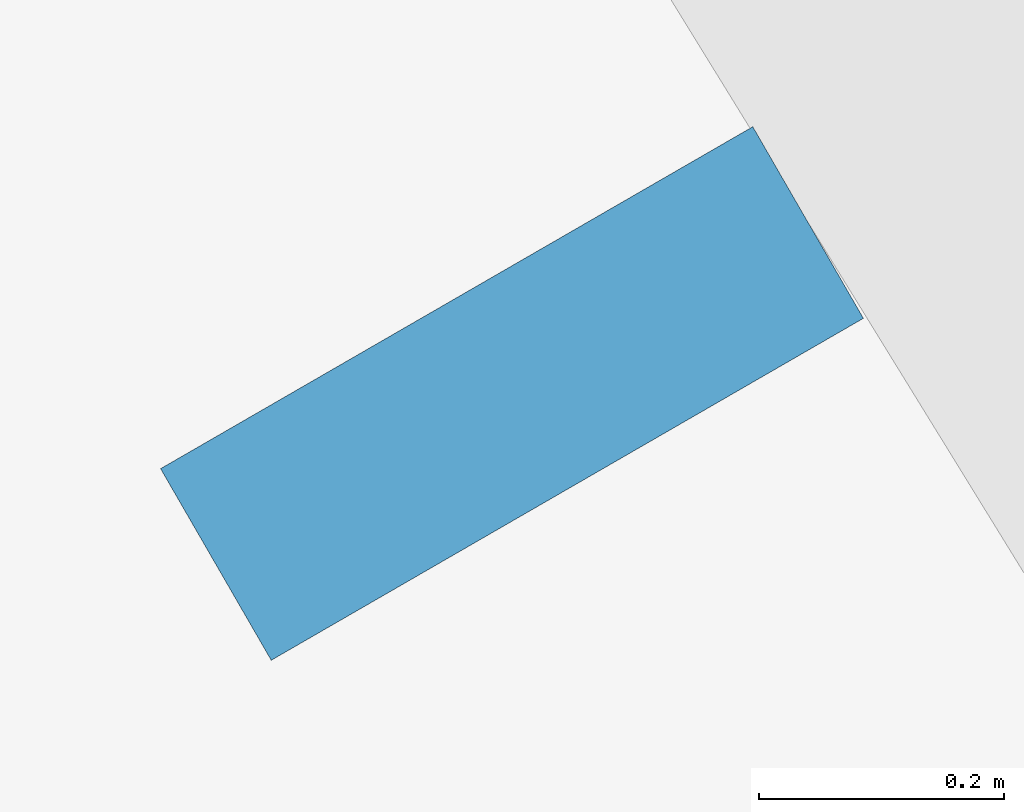
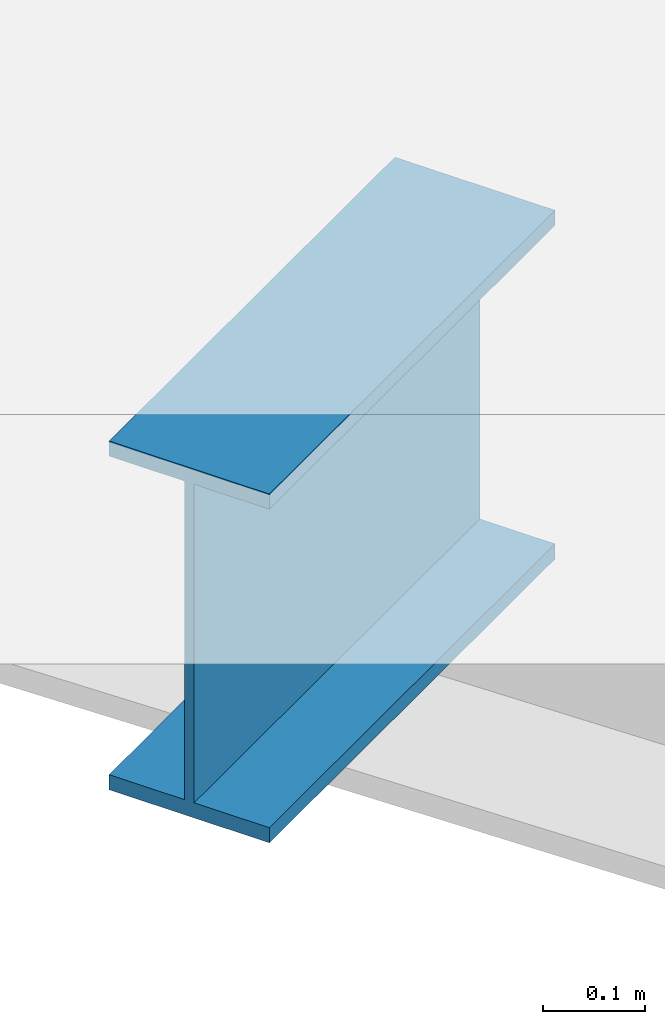
# One storey, part 18 of 38: 1 beam.
"""IFC4 building model written with IfcOpenShell, lengths in metres."""

from ifc_helpers import new_model, si_unit, direction, frame, origin, origin_2d, place, context, subcontext, project, spatial, i_section, extrude, source, transform, mapped, material, material_profile, profile_set, type_object, element, save


model = new_model("IFC4")

# Units and contexts
model_context = context("Model", 3, precision=1e-05, world=origin(), true_north=direction((0.0, 1.0)))
body_context = subcontext(model_context, "Body", "Model", "MODEL_VIEW")
ifc_project = project(units=[si_unit("LENGTHUNIT", "METRE"), si_unit("AREAUNIT", "SQUARE_METRE"), si_unit("VOLUMEUNIT", "CUBIC_METRE"), si_unit("PLANEANGLEUNIT", "RADIAN"), si_unit("MASSUNIT", "GRAM", prefix="KILO")], contexts=[model_context])

# Site, building, storey
site_placement = place(None, origin())
site = spatial("IfcSite", under=ifc_project, at=site_placement, CompositionType="ELEMENT")
building_placement = place(site_placement, origin())
building = spatial("IfcBuilding", under=site, at=building_placement, Name="Triune Harvest Tower", CompositionType="ELEMENT")
storey_placement = place(building_placement, frame((0.0, 0.0, 16.0)))
storey = spatial("IfcBuildingStorey", under=building, at=storey_placement, Name="L03", CompositionType="ELEMENT", Elevation=16.0)

# Beam
ifc_material = material(Name="Steel ASTM A992 Gr 50", Category="steel")
ifc_material_profile = material_profile(ifc_material, i_section(OverallWidth=0.180908203125, OverallDepth=0.41650390625, WebThickness=0.010986328125, FlangeThickness=0.01806640625, at=origin_2d()), Name="W16x57")
ifc_profile_set = profile_set([ifc_material_profile], Name="Steel ASTM A992 Gr 50")
beam_type = type_object("IfcBeamType", Name="PD-6 Podium short joist W16x57", PredefinedType="JOIST", material=ifc_profile_set)
shared_shape = source(origin(), body_context, "Body", "SweptSolid", [
    extrude(i_section(OverallWidth=0.180908203125, OverallDepth=0.41650390625, WebThickness=0.010986328125, FlangeThickness=0.01806640625, at=origin_2d()), origin(), (0.0, 0.0, 1.0), 0.55908203125),
])
beam_placement = place(storey_placement, frame((27.806884765625, -38.107421875, -0.408203125), z_axis=(0.866003766563, 0.500037474894, 0.0), x_axis=(-0.500037474894, 0.866003766563, 0.0)))
element("IfcBeam", 1, at=beam_placement, inside=storey, type_object=beam_type, Name="beam/L03/PJ81", PredefinedType="JOIST", context=body_context, shape_type="MappedRepresentation", body=[
    mapped(shared_shape, transform((0.0, 0.0, 0.0), scale=1.0)),
])

save(model, "model.ifc")
